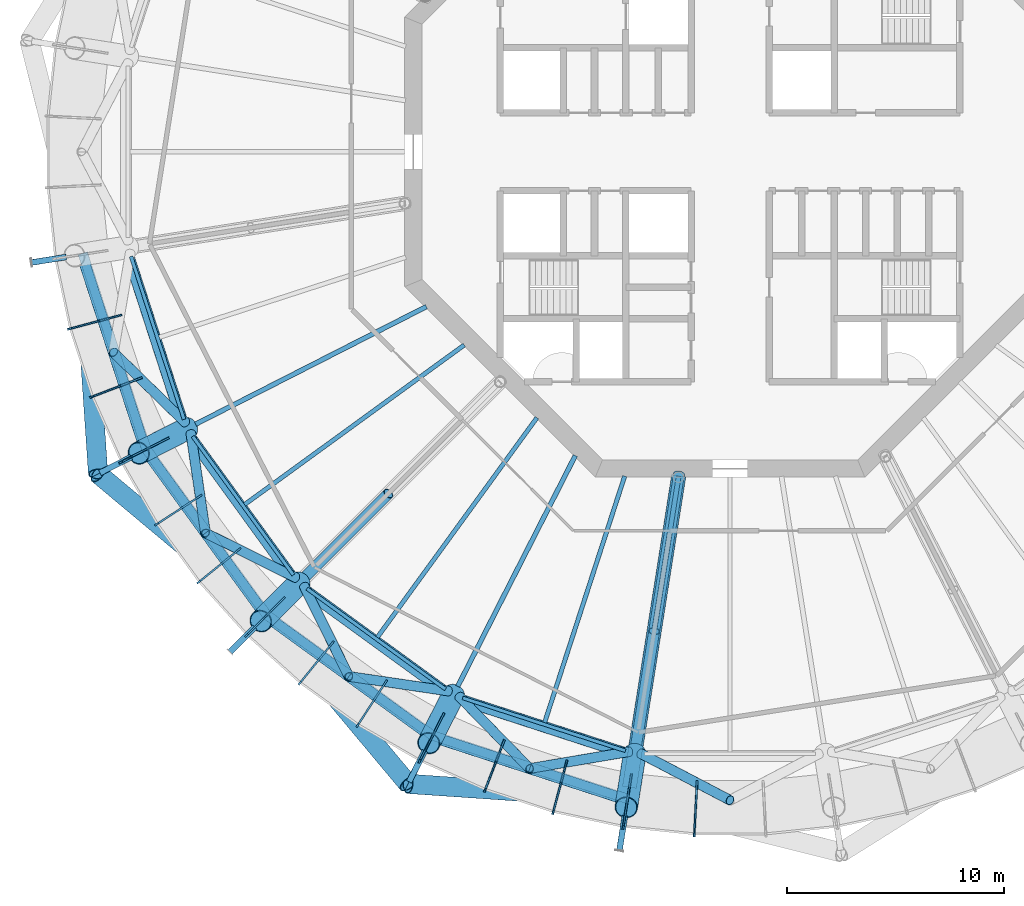
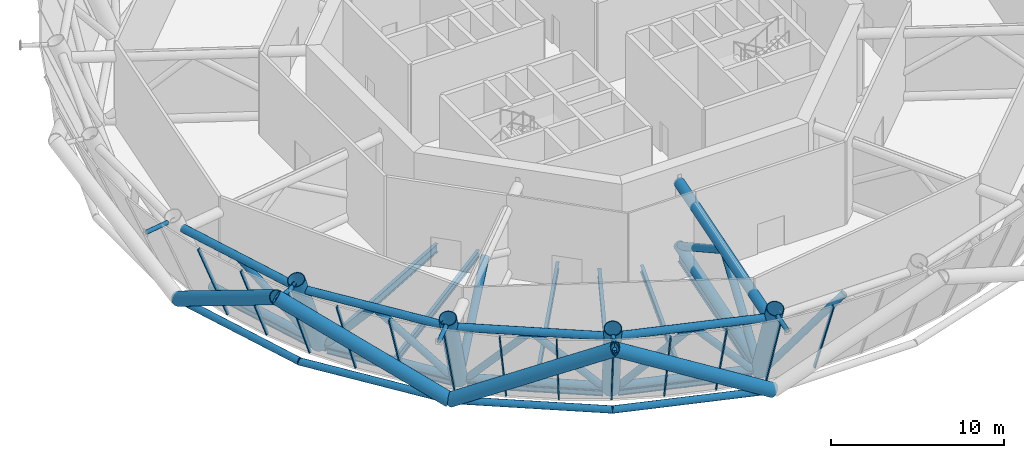
# One storey, part 1 of 20: 51 members, 10 beams, 5 elements without a shape of their own.
"""IFC4 building model written with IfcOpenShell, lengths in metres."""

from ifc_helpers import new_model, si_unit, direction, frame, origin, origin_2d, place, context, subcontext, project, spatial, rectangle, circle, hollow_circle, i_section, extrude, material, layer, layer_set, material_profile, profile_set, type_object, element, aggregate, save


model = new_model("IFC4")

# Units and contexts
model_context = context("Model", 3, precision=1e-05, world=origin(), true_north=direction((0.0, 1.0)))
body_context = subcontext(model_context, "Body", "Model", "MODEL_VIEW")
ifc_project = project(units=[si_unit("LENGTHUNIT", "METRE"), si_unit("AREAUNIT", "SQUARE_METRE"), si_unit("VOLUMEUNIT", "CUBIC_METRE"), si_unit("PLANEANGLEUNIT", "RADIAN"), si_unit("MASSUNIT", "GRAM", prefix="KILO")], contexts=[model_context])

# Site, building, storey
site_placement = place(None, origin())
site = spatial("IfcSite", under=ifc_project, at=site_placement, CompositionType="ELEMENT")
building_placement = place(site_placement, origin())
building = spatial("IfcBuilding", under=site, at=building_placement, Name="Entoto Ring Tower", CompositionType="ELEMENT")
storey_placement = place(building_placement, frame((0.0, 0.0, 330.0)))
storey = spatial("IfcBuildingStorey", under=building, at=storey_placement, Name="L76", CompositionType="ELEMENT", Elevation=330.0)

# Members
ifc_material_1 = material(Name="Steel S355", Category="steel")
ifc_material_profile_1 = material_profile(ifc_material_1, hollow_circle(Radius=0.449951171875, WallThickness=0.044921875, at=origin_2d()), Name="CHS 900 x 45")
ifc_material_2 = material(Name="Concrete C60/75", Category="concrete")
ifc_material_profile_2 = material_profile(ifc_material_2, circle(Radius=0.405029296875, at=origin_2d()), Name="Concrete C60/75 infill")
ifc_profile_set_1 = profile_set([ifc_material_profile_1, ifc_material_profile_2], Name="Steel S355")
member_type_1 = type_object("IfcMemberType", Name="Diagrid diagonal 900 x 45 concrete-filled tube", PredefinedType="BRACE", material=ifc_profile_set_1)
member_1_placement = place(storey_placement, frame((60.171875, 75.275634765625, 0.0), z_axis=(0.058724268288, -0.858720728799, 0.509067942661), x_axis=(0.997669863704, 0.068226410257, 0.0)))
element("IfcMember", 1, at=member_1_placement, inside=storey, type_object=member_type_1, Name="DG2 module 25 12", PredefinedType="BRACE", context=body_context, shape_type="SweptSolid", body=[
    extrude(hollow_circle(Radius=0.449951171875, WallThickness=0.044921875, at=origin_2d()), origin(), (0.0, 0.0, 1.0), 11.7861328125),
])
for number, where, z_axis, x_axis, name in (
    (2, (68.645263671875, 58.645263671875, 0.0), (-0.660190481953, 0.552271543356, 0.509062540301), (-0.641631920107, -0.767012698134, 0.0), "DG2 module 25 13"),
    (3, (68.645263671875, 58.645263671875, 0.0), (0.552271543356, -0.660190481953, 0.509062540301), (0.767012698134, 0.641631920107, 0.0), "DG2 module 25 14"),
):
    element("IfcMember", number, at=place(storey_placement, frame(where, z_axis=z_axis, x_axis=x_axis)), inside=storey, type_object=member_type_1, Name=name, PredefinedType="BRACE", context=body_context, shape_type="SweptSolid", body=[
        extrude(hollow_circle(Radius=0.449951171875, WallThickness=0.044921875, at=origin_2d()), origin(), (0.0, 0.0, 1.0), 11.786376953125),
    ])
member_2_placement = place(storey_placement, frame((85.275634765625, 50.171875, 0.0), z_axis=(-0.858720728799, 0.058724268288, 0.509067942661), x_axis=(-0.068226410257, -0.997669863704, 0.0)))
element("IfcMember", 4, at=member_2_placement, inside=storey, type_object=member_type_1, Name="DG2 module 25 15", PredefinedType="BRACE", context=body_context, shape_type="SweptSolid", body=[
    extrude(hollow_circle(Radius=0.449951171875, WallThickness=0.044921875, at=origin_2d()), origin(), (0.0, 0.0, 1.0), 11.7861328125),
])
ifc_material_3 = material(Name="Steel S355", Category="steel")
ifc_material_profile_3 = material_profile(ifc_material_3, hollow_circle(Radius=0.136474609375, WallThickness=0.012451171875, at=origin_2d()), Name="CHS 273 x 12.5")
ifc_material_4 = material(Name="Concrete C60/75", Category="concrete")
ifc_material_profile_4 = material_profile(ifc_material_4, circle(Radius=0.1240234375, at=origin_2d()), Name="Concrete C60/75 infill")
ifc_profile_set_2 = profile_set([ifc_material_profile_3, ifc_material_profile_4], Name="Steel S355")
member_type_2 = type_object("IfcMemberType", Name="Diagrid node strut 273 x 12.5", PredefinedType="STRUT", material=ifc_profile_set_2)
for number, where, z_axis, x_axis, name in (
    (5, (59.395751953125, 75.15283203125, 5.71337890625), (-0.987674522223, -0.156521685883, 0.0), (0.156521685883, -0.987674522223, 0.0), "DS2 strut ring 25 10"),
    (6, (62.3916015625, 65.932861328125, 5.71337890625), (-0.891014106181, -0.453975618933, 0.0), (0.453975618933, -0.891014106181, 0.0), "DS2 strut ring 25 11"),
    (7, (68.08984375, 58.08984375, 5.71337890625), (-0.707106781187, -0.707106781187, 0.0), (0.707106781187, -0.707106781187, 0.0), "DS2 strut ring 25 12"),
    (8, (75.932861328125, 52.3916015625, 5.71337890625), (-0.453975618933, -0.891014106181, 0.0), (0.891014106181, -0.453975618933, 0.0), "DS2 strut ring 25 13"),
    (9, (85.15283203125, 49.395751953125, 5.71337890625), (-0.156521685883, -0.987674522223, 0.0), (0.987674522223, -0.156521685883, 0.0), "DS2 strut ring 25 14"),
):
    element("IfcMember", number, at=place(storey_placement, frame(where, z_axis=z_axis, x_axis=x_axis)), inside=storey, type_object=member_type_2, Name=name, PredefinedType="STRUT", context=body_context, shape_type="SweptSolid", body=[
        extrude(hollow_circle(Radius=0.136474609375, WallThickness=0.012451171875, at=origin_2d()), origin(), (0.0, 0.0, 1.0), 1.614501953125),
    ])
ifc_material_5 = material(Name="Steel S355", Category="steel")
ifc_material_profile_5 = material_profile(ifc_material_5, hollow_circle(Radius=0.228515625, WallThickness=0.02001953125, at=origin_2d()), Name="CHS 457 x 20")
ifc_material_6 = material(Name="Concrete C60/75", Category="concrete")
ifc_material_profile_6 = material_profile(ifc_material_6, circle(Radius=0.20849609375, at=origin_2d()), Name="Concrete C60/75 infill")
ifc_profile_set_3 = profile_set([ifc_material_profile_5, ifc_material_profile_6], Name="Steel S355")
member_type_3 = type_object("IfcMemberType", Name="Diagrid ring beam 457 x 20", PredefinedType="CHORD", material=ifc_profile_set_3)
for number, where, z_axis, x_axis, name in (
    (10, (60.154541015625, 75.3291015625, 0.0), (0.309002348931, -0.951061274764, 0.0), (0.951061274764, 0.309002348931, 0.0), "DR3 ring 24 11"),
    (11, (63.05859375, 66.3349609375, 0.0), (0.587784468219, -0.809017564037, 0.0), (0.809017564037, 0.587784468219, 0.0), "DR3 ring 24 12"),
    (12, (68.599853515625, 58.678466796875, 0.0), (0.809017564037, -0.587784468219, 0.0), (0.587784468219, 0.809017564037, 0.0), "DR3 ring 24 13"),
    (13, (76.236083984375, 53.10888671875, 0.0), (0.951061274764, -0.309002348931, 0.0), (0.309002348931, 0.951061274764, 0.0), "DR3 ring 24 14"),
):
    element("IfcMember", number, at=place(storey_placement, frame(where, z_axis=z_axis, x_axis=x_axis)), inside=storey, type_object=member_type_3, Name=name, PredefinedType="CHORD", context=body_context, shape_type="SweptSolid", body=[
        extrude(hollow_circle(Radius=0.228515625, WallThickness=0.02001953125, at=origin_2d()), origin(), (0.0, 0.0, 1.0), 9.56103515625),
    ])

# Beams
ifc_material_7 = material(Name="Steel S355", Category="steel")
ifc_material_profile_7 = material_profile(ifc_material_7, i_section(OverallWidth=0.169921875, OverallDepth=0.360107421875, WebThickness=0.008056640625, FlangeThickness=0.0126953125, FilletRadius=0.01806640625, at=origin_2d()), Name="IPE 360")
ifc_profile_set_4 = profile_set([ifc_material_profile_7], Name="Steel S355")
beam_type_1 = type_object("IfcBeamType", Name="Edge beam IPE 360", PredefinedType="SPANDREL", material=ifc_profile_set_4)
beam_1_placement = place(storey_placement, frame((62.38427734375, 75.1787109375, -0.330078125), z_axis=(0.309002883506, -0.951061101079, 0.0), x_axis=(0.951061101079, 0.309002883506, 0.0)))
element("IfcBeam", 14, at=beam_1_placement, inside=storey, type_object=beam_type_1, Name="Edge beam L76 11", PredefinedType="SPANDREL", context=body_context, shape_type="SweptSolid", body=[
    extrude(i_section(OverallWidth=0.169921875, OverallDepth=0.360107421875, WebThickness=0.008056640625, FlangeThickness=0.0126953125, FilletRadius=0.01806640625, at=origin_2d()), origin(), (0.0, 0.0, 1.0), 7.89697265625),
])
for number, where, z_axis, x_axis, name in (
    (15, (65.2255859375, 66.881103515625, -0.330078125), (0.587787449408, -0.809015398073, 0.0), (0.809015398073, 0.587787449408, 0.0), "Edge beam L76 12"),
    (16, (70.4921875, 59.867431640625, -0.330078125), (0.809015398073, -0.587787449408, 0.0), (0.587787449408, 0.809015398073, 0.0), "Edge beam L76 13"),
):
    element("IfcBeam", number, at=place(storey_placement, frame(where, z_axis=z_axis, x_axis=x_axis)), inside=storey, type_object=beam_type_1, Name=name, PredefinedType="SPANDREL", context=body_context, shape_type="SweptSolid", body=[
        extrude(i_section(OverallWidth=0.169921875, OverallDepth=0.360107421875, WebThickness=0.008056640625, FlangeThickness=0.0126953125, FilletRadius=0.01806640625, at=origin_2d()), origin(), (0.0, 0.0, 1.0), 7.897216796875),
    ])
beam_2_placement = place(storey_placement, frame((77.668212890625, 54.824462890625, -0.330078125), z_axis=(0.951061101079, -0.309002883506, 0.0), x_axis=(0.309002883506, 0.951061101079, 0.0)))
element("IfcBeam", 17, at=beam_2_placement, inside=storey, type_object=beam_type_1, Name="Edge beam L76 14", PredefinedType="SPANDREL", context=body_context, shape_type="SweptSolid", body=[
    extrude(i_section(OverallWidth=0.169921875, OverallDepth=0.360107421875, WebThickness=0.008056640625, FlangeThickness=0.0126953125, FilletRadius=0.01806640625, at=origin_2d()), origin(), (0.0, 0.0, 1.0), 7.89697265625),
])

# Curtain wall, members
ifc_material_8 = material(Name="Anodised aluminium", Category="aluminium")
ifc_layer = layer(ifc_material_8, 0.10009765625)
ifc_layer_set = layer_set([ifc_layer], Name="Anodised aluminium")
curtain_wall_type = type_object("IfcCurtainWallType", Name="Louvre curtain wall system CW7", PredefinedType="NOTDEFINED", material=ifc_layer_set)
curtain_wall_1_placement = place(storey_placement, origin())
curtain_wall_1 = element("IfcCurtainWall", 18, at=curtain_wall_1_placement, inside=storey, type_object=curtain_wall_type, Name="CW7 L76-11", PredefinedType="NOTDEFINED")
ifc_material_9 = material(Name="Anodised aluminium", Category="aluminium")
ifc_material_profile_8 = material_profile(ifc_material_9, rectangle(XDim=0.080078125, YDim=0.199951171875, at=origin_2d()), Name="Mullion 80 x 200 mm anodised aluminium")
ifc_profile_set_5 = profile_set([ifc_material_profile_8], Name="Anodised aluminium")
member_type_4 = type_object("IfcMemberType", Name="Mullion 80 x 200 mm anodised aluminium", PredefinedType="MULLION", material=ifc_profile_set_5)
member_3_placement = place(storey_placement, frame((61.867919921875, 72.462158203125, 0.03857421875), z_axis=(-0.371517215719, -0.099544909119, 0.923074086676), x_axis=(0.258812183003, -0.965927664957, 0.0)))
member_3 = element("IfcMember", 19, at=member_3_placement, type_object=member_type_4, Name="MULLION L76-31", PredefinedType="MULLION", context=body_context, shape_type="SweptSolid", body=[
    extrude(rectangle(XDim=0.080078125, YDim=0.199951171875, at=origin_2d()), origin(), (0.0, 0.0, 1.0), 6.254150390625),
])
member_4_placement = place(storey_placement, frame((62.81005859375, 69.562744140625, 0.03857421875), z_axis=(-0.359065607861, -0.137840906866, 0.92307733893), x_axis=(0.358387287841, -0.933573002991, 0.0)))
member_4 = element("IfcMember", 20, at=member_4_placement, type_object=member_type_4, Name="MULLION L76-32", PredefinedType="MULLION", context=body_context, shape_type="SweptSolid", body=[
    extrude(rectangle(XDim=0.080078125, YDim=0.199951171875, at=origin_2d()), origin(), (0.0, 0.0, 1.0), 6.25390625),
])
aggregate(curtain_wall_1, [member_3, member_4])

curtain_wall_2_placement = place(storey_placement, origin())
curtain_wall_2 = element("IfcCurtainWall", 21, at=curtain_wall_2_placement, inside=storey, type_object=curtain_wall_type, Name="CW7 L76-12", PredefinedType="NOTDEFINED")
member_5_placement = place(storey_placement, frame((64.050048828125, 66.77783203125, 0.03857421875), z_axis=(-0.342707021712, -0.174613111757, 0.923072130698), x_axis=(0.453980514773, -0.891011611713, 0.0)))
member_5 = element("IfcMember", 22, at=member_5_placement, type_object=member_type_4, Name="MULLION L76-33", PredefinedType="MULLION", context=body_context, shape_type="SweptSolid", body=[
    extrude(rectangle(XDim=0.080078125, YDim=0.199951171875, at=origin_2d()), origin(), (0.0, 0.0, 1.0), 6.254150390625),
])
member_6_placement = place(storey_placement, frame((65.57421875, 64.1376953125, 0.03857421875), z_axis=(-0.322565689083, -0.209474462982, 0.923077367064), x_axis=(0.544635112654, -0.838673115143, 0.0)))
member_6 = element("IfcMember", 23, at=member_6_placement, type_object=member_type_4, Name="MULLION L76-34", PredefinedType="MULLION", context=body_context, shape_type="SweptSolid", body=[
    extrude(rectangle(XDim=0.080078125, YDim=0.199951171875, at=origin_2d()), origin(), (0.0, 0.0, 1.0), 6.25390625),
])
member_7_placement = place(storey_placement, frame((67.3662109375, 61.67138671875, 0.03857421875), z_axis=(-0.298909386308, -0.242031891748, 0.923078405204), x_axis=(0.629288738535, -0.777171592091, 0.0)))
member_7 = element("IfcMember", 24, at=member_7_placement, type_object=member_type_4, Name="MULLION L76-35", PredefinedType="MULLION", context=body_context, shape_type="SweptSolid", body=[
    extrude(rectangle(XDim=0.080078125, YDim=0.199951171875, at=origin_2d()), origin(), (0.0, 0.0, 1.0), 6.25390625),
])
aggregate(curtain_wall_2, [member_5, member_6, member_7])

curtain_wall_3_placement = place(storey_placement, origin())
curtain_wall_3 = element("IfcCurtainWall", 25, at=curtain_wall_3_placement, inside=storey, type_object=curtain_wall_type, Name="CW7 L76-13", PredefinedType="NOTDEFINED")
member_8_placement = place(storey_placement, frame((69.406005859375, 59.406005859375, 0.03857421875), z_axis=(-0.271971811529, -0.271971811529, 0.923072406405), x_axis=(0.707106781187, -0.707106781187, 0.0)))
member_8 = element("IfcMember", 26, at=member_8_placement, type_object=member_type_4, Name="MULLION L76-36", PredefinedType="MULLION", context=body_context, shape_type="SweptSolid", body=[
    extrude(rectangle(XDim=0.080078125, YDim=0.199951171875, at=origin_2d()), origin(), (0.0, 0.0, 1.0), 6.254150390625),
])
member_9_placement = place(storey_placement, frame((71.67138671875, 57.3662109375, 0.03857421875), z_axis=(-0.242031891748, -0.298909386308, 0.923078405204), x_axis=(0.777171592091, -0.629288738535, 0.0)))
member_9 = element("IfcMember", 27, at=member_9_placement, type_object=member_type_4, Name="MULLION L76-37", PredefinedType="MULLION", context=body_context, shape_type="SweptSolid", body=[
    extrude(rectangle(XDim=0.080078125, YDim=0.199951171875, at=origin_2d()), origin(), (0.0, 0.0, 1.0), 6.25390625),
])
member_10_placement = place(storey_placement, frame((74.1376953125, 55.57421875, 0.03857421875), z_axis=(-0.209474462982, -0.322565689083, 0.923077367064), x_axis=(0.838673115143, -0.544635112654, 0.0)))
member_10 = element("IfcMember", 28, at=member_10_placement, type_object=member_type_4, Name="MULLION L76-38", PredefinedType="MULLION", context=body_context, shape_type="SweptSolid", body=[
    extrude(rectangle(XDim=0.080078125, YDim=0.199951171875, at=origin_2d()), origin(), (0.0, 0.0, 1.0), 6.25390625),
])
aggregate(curtain_wall_3, [member_8, member_9, member_10])

curtain_wall_4_placement = place(storey_placement, origin())
curtain_wall_4 = element("IfcCurtainWall", 29, at=curtain_wall_4_placement, inside=storey, type_object=curtain_wall_type, Name="CW7 L76-14", PredefinedType="NOTDEFINED")
member_11_placement = place(storey_placement, frame((76.77783203125, 54.050048828125, 0.03857421875), z_axis=(-0.174613111757, -0.342707021712, 0.923072130698), x_axis=(0.891011611713, -0.453980514773, 0.0)))
member_11 = element("IfcMember", 30, at=member_11_placement, type_object=member_type_4, Name="MULLION L76-39", PredefinedType="MULLION", context=body_context, shape_type="SweptSolid", body=[
    extrude(rectangle(XDim=0.080078125, YDim=0.199951171875, at=origin_2d()), origin(), (0.0, 0.0, 1.0), 6.254150390625),
])
member_12_placement = place(storey_placement, frame((79.562744140625, 52.81005859375, 0.03857421875), z_axis=(-0.137840906866, -0.359065607861, 0.92307733893), x_axis=(0.933573002991, -0.358387287841, 0.0)))
member_12 = element("IfcMember", 31, at=member_12_placement, type_object=member_type_4, Name="MULLION L76-40", PredefinedType="MULLION", context=body_context, shape_type="SweptSolid", body=[
    extrude(rectangle(XDim=0.080078125, YDim=0.199951171875, at=origin_2d()), origin(), (0.0, 0.0, 1.0), 6.25390625),
])
member_13_placement = place(storey_placement, frame((82.462158203125, 51.867919921875, 0.03857421875), z_axis=(-0.099544909119, -0.371517215719, 0.923074086676), x_axis=(0.965927664957, -0.258812183003, 0.0)))
member_13 = element("IfcMember", 32, at=member_13_placement, type_object=member_type_4, Name="MULLION L76-41", PredefinedType="MULLION", context=body_context, shape_type="SweptSolid", body=[
    extrude(rectangle(XDim=0.080078125, YDim=0.199951171875, at=origin_2d()), origin(), (0.0, 0.0, 1.0), 6.254150390625),
])
aggregate(curtain_wall_4, [member_11, member_12, member_13])

curtain_wall_5_placement = place(storey_placement, origin())
curtain_wall_5 = element("IfcCurtainWall", 33, at=curtain_wall_5_placement, inside=storey, type_object=curtain_wall_type, Name="CW7 L76-15", PredefinedType="NOTDEFINED")
member_14_placement = place(storey_placement, frame((85.44384765625, 51.234130859375, 0.03857421875), z_axis=(-0.060156755817, -0.379873712431, 0.923080238838), x_axis=(0.987692088264, -0.156410801358, 0.0)))
member_14 = element("IfcMember", 34, at=member_14_placement, type_object=member_type_4, Name="MULLION L76-42", PredefinedType="MULLION", context=body_context, shape_type="SweptSolid", body=[
    extrude(rectangle(XDim=0.080078125, YDim=0.199951171875, at=origin_2d()), origin(), (0.0, 0.0, 1.0), 6.25390625),
])
member_15_placement = place(storey_placement, frame((88.475830078125, 50.91552734375, 0.03857421875), z_axis=(-0.020143260577, -0.3840882574, 0.923076627145), x_axis=(0.998627625159, -0.052372380789, 0.0)))
member_15 = element("IfcMember", 35, at=member_15_placement, type_object=member_type_4, Name="MULLION L76-43", PredefinedType="MULLION", context=body_context, shape_type="SweptSolid", body=[
    extrude(rectangle(XDim=0.080078125, YDim=0.199951171875, at=origin_2d()), origin(), (0.0, 0.0, 1.0), 6.254150390625),
])
aggregate(curtain_wall_5, [member_14, member_15])

# Members
ifc_material_10 = material(Name="Steel S355", Category="steel")
ifc_material_profile_9 = material_profile(ifc_material_10, hollow_circle(Radius=0.330078125, WallThickness=0.031982421875, at=origin_2d()), Name="CHS 660 x 32")
ifc_material_11 = material(Name="Concrete C60/75", Category="concrete")
ifc_material_profile_10 = material_profile(ifc_material_11, circle(Radius=0.298095703125, at=origin_2d()), Name="Concrete C60/75 infill")
ifc_profile_set_6 = profile_set([ifc_material_profile_9, ifc_material_profile_10], Name="Steel S355")
member_type_5 = type_object("IfcMemberType", Name="Outrigger chord 660 x 32", PredefinedType="CHORD", material=ifc_profile_set_6)
member_16_placement = place(storey_placement, frame((87.635498046875, 65.0712890625, 0.330078125), z_axis=(-0.156438355416, -0.987687724412, 0.0), x_axis=(0.987687724412, -0.156438355416, 0.0)))
element("IfcMember", 36, at=member_16_placement, inside=storey, type_object=member_type_5, Name="OR1C L76 bottom 08", PredefinedType="CHORD", context=body_context, shape_type="SweptSolid", body=[
    extrude(hollow_circle(Radius=0.330078125, WallThickness=0.031982421875, at=origin_2d()), origin(), (0.0, 0.0, 1.0), 12.7001953125),
])
member_17_placement = place(storey_placement, frame((87.635498046875, 65.0712890625, 4.76708984375), z_axis=(-0.156426146661, -0.987689658061, 0.0), x_axis=(0.987689658061, -0.156426146661, 0.0)))
element("IfcMember", 37, at=member_17_placement, inside=storey, type_object=member_type_5, Name="OR1C L76 top 08", PredefinedType="CHORD", context=body_context, shape_type="SweptSolid", body=[
    extrude(hollow_circle(Radius=0.330078125, WallThickness=0.031982421875, at=origin_2d()), origin(), (0.0, 0.0, 1.0), 14.54931640625),
])
ifc_material_12 = material(Name="Steel S355", Category="steel")
ifc_material_profile_11 = material_profile(ifc_material_12, hollow_circle(Radius=0.25390625, WallThickness=0.030029296875, at=origin_2d()), Name="CHS 508 x 30")
ifc_material_13 = material(Name="Concrete C60/75", Category="concrete")
ifc_material_profile_12 = material_profile(ifc_material_13, circle(Radius=0.22412109375, at=origin_2d()), Name="Concrete C60/75 infill")
ifc_profile_set_7 = profile_set([ifc_material_profile_11, ifc_material_profile_12], Name="Steel S355")
member_type_6 = type_object("IfcMemberType", Name="Outrigger diagonal 508 x 30", PredefinedType="BRACE", material=ifc_profile_set_7)
member_18_placement = place(storey_placement, frame((74.2451171875, 64.2451171875, 4.76708984375), z_axis=(-0.547630187535, -0.547630187535, -0.632615487797), x_axis=(0.707106781187, -0.707106781187, 0.0)))
element("IfcMember", 38, at=member_18_placement, inside=storey, type_object=member_type_6, Name="OR2B L76 07 2", PredefinedType="BRACE", context=body_context, shape_type="SweptSolid", body=[
    extrude(hollow_circle(Radius=0.25390625, WallThickness=0.030029296875, at=origin_2d()), origin(), (0.0, 0.0, 1.0), 7.184814453125),
])
member_19_placement = place(storey_placement, frame((87.648681640625, 65.154296875, 0.2333984375), z_axis=(-0.133101606352, -0.840421364823, 0.525334076503), x_axis=(0.987689804322, -0.15642522315, 0.0)))
element("IfcMember", 39, at=member_19_placement, inside=storey, type_object=member_type_6, Name="OR2B L76 08 1", PredefinedType="BRACE", context=body_context, shape_type="SweptSolid", body=[
    extrude(hollow_circle(Radius=0.25390625, WallThickness=0.030029296875, at=origin_2d()), origin(), (0.0, 0.0, 1.0), 8.630126953125),
])
member_20_placement = place(storey_placement, frame((86.5, 57.9013671875, 4.76708984375), z_axis=(-0.120323704242, -0.759579836959, -0.639187513553), x_axis=(0.987684708538, -0.156457395223, 0.0)))
element("IfcMember", 40, at=member_20_placement, inside=storey, type_object=member_type_6, Name="OR2B L76 08 2", PredefinedType="BRACE", context=body_context, shape_type="SweptSolid", body=[
    extrude(hollow_circle(Radius=0.25390625, WallThickness=0.030029296875, at=origin_2d()), origin(), (0.0, 0.0, 1.0), 7.11572265625),
])

# Beams
ifc_material_14 = material(Name="Steel S355", Category="steel")
ifc_material_profile_13 = material_profile(ifc_material_14, i_section(OverallWidth=0.219970703125, OverallDepth=0.60009765625, WebThickness=0.011962890625, FlangeThickness=0.01904296875, FilletRadius=0.02392578125, at=origin_2d()), Name="IPE 600")
ifc_profile_set_8 = profile_set([ifc_material_profile_13], Name="Steel S355")
beam_type_2 = type_object("IfcBeamType", Name="Primary floor beam IPE 600", PredefinedType="BEAM", material=ifc_profile_set_8)
for number, where, z_axis, x_axis, name in (
    (41, (75.996826171875, 72.864990234375, -0.449951171875), (-0.891007666593, -0.453988257638, 0.0), (0.453988257638, -0.891007666593, 0.0), "Primary L76 R12"),
    (42, (82.864990234375, 65.996826171875, -0.449951171875), (-0.453988257638, -0.891007666593, 0.0), (0.891007666593, -0.453988257638, 0.0), "Primary L76 R14"),
):
    element("IfcBeam", number, at=place(storey_placement, frame(where, z_axis=z_axis, x_axis=x_axis)), inside=storey, type_object=beam_type_2, Name=name, PredefinedType="BEAM", context=body_context, shape_type="SweptSolid", body=[
        extrude(i_section(OverallWidth=0.219970703125, OverallDepth=0.60009765625, WebThickness=0.011962890625, FlangeThickness=0.01904296875, FilletRadius=0.02392578125, at=origin_2d()), origin(), (0.0, 0.0, 1.0), 11.941650390625),
    ])
beam_3_placement = place(storey_placement, frame((87.630126953125, 65.036865234375, -0.449951171875), z_axis=(-0.156439647277, -0.987687519796, 0.0), x_axis=(0.987687519796, -0.156439647277, 0.0)))
element("IfcBeam", 43, at=beam_3_placement, inside=storey, type_object=beam_type_2, Name="Primary L76 R15", PredefinedType="BEAM", context=body_context, shape_type="SweptSolid", body=[
    extrude(i_section(OverallWidth=0.219970703125, OverallDepth=0.60009765625, WebThickness=0.011962890625, FlangeThickness=0.01904296875, FilletRadius=0.02392578125, at=origin_2d()), origin(), (0.0, 0.0, 1.0), 12.50830078125),
])

# Members
ifc_material_15 = material(Name="Steel S355", Category="steel")
ifc_material_profile_14 = material_profile(ifc_material_15, hollow_circle(Radius=0.52490234375, WallThickness=0.0400390625, at=origin_2d()), Name="CHS 1050 x 40")
ifc_material_16 = material(Name="Concrete C60/75", Category="concrete")
ifc_material_profile_15 = material_profile(ifc_material_16, circle(Radius=0.485107421875, at=origin_2d()), Name="Concrete C60/75 infill")
ifc_profile_set_9 = profile_set([ifc_material_profile_14, ifc_material_profile_15], Name="Steel S355")
member_type_7 = type_object("IfcMemberType", Name="Ring column jog 1050 x 40 concrete-filled tube", PredefinedType="STRUT", material=ifc_profile_set_9)
for number, where, z_axis, x_axis, name in (
    (44, (64.962646484375, 67.242919921875, 0.0), (-0.342697597672, -0.174616520339, 0.923074984698), (0.453997461601, -0.891002976909, 0.0), "RJ5B R12"),
    (45, (70.13037109375, 60.13037109375, 0.0), (-0.271971397377, -0.271971397377, 0.923072650455), (0.707106781187, -0.707106781187, 0.0), "RJ5B R13"),
    (46, (77.242919921875, 54.962646484375, 0.0), (-0.174616520339, -0.342697597672, 0.923074984698), (0.891002976909, -0.453997461601, 0.0), "RJ5B R14"),
    (47, (85.604248046875, 52.245849609375, 0.0), (-0.060172056163, -0.379850189746, 0.923088921506), (0.987684444718, -0.156459060658, 0.0), "RJ5B R15"),
):
    element("IfcMember", number, at=place(storey_placement, frame(where, z_axis=z_axis, x_axis=x_axis)), inside=storey, type_object=member_type_7, Name=name, PredefinedType="STRUT", context=body_context, shape_type="SweptSolid", body=[
        extrude(hollow_circle(Radius=0.52490234375, WallThickness=0.0400390625, at=origin_2d()), origin(), (0.0, 0.0, 1.0), 6.5),
    ])
ifc_material_17 = material(Name="Steel S355", Category="steel")
ifc_material_profile_16 = material_profile(ifc_material_17, hollow_circle(Radius=0.25390625, WallThickness=0.030029296875, at=origin_2d()), Name="CHS 508 x 30")
ifc_material_18 = material(Name="Concrete C60/75", Category="concrete")
ifc_material_profile_17 = material_profile(ifc_material_18, circle(Radius=0.22412109375, at=origin_2d()), Name="Concrete C60/75 infill")
ifc_profile_set_10 = profile_set([ifc_material_profile_16, ifc_material_profile_17], Name="Steel S355")
member_type_8 = type_object("IfcMemberType", Name="Ring truss chord 508 x 30", PredefinedType="CHORD", material=ifc_profile_set_10)
member_21_placement = place(storey_placement, frame((62.27880859375, 75.164794921875, 0.25390625), z_axis=(0.309010244188, -0.951058709537, 0.0), x_axis=(0.951058709537, 0.309010244188, 0.0)))
element("IfcMember", 48, at=member_21_placement, inside=storey, type_object=member_type_8, Name="BT1 L76 bottom 11", PredefinedType="CHORD", context=body_context, shape_type="SweptSolid", body=[
    extrude(hollow_circle(Radius=0.25390625, WallThickness=0.030029296875, at=origin_2d()), origin(), (0.0, 0.0, 1.0), 7.935546875),
])
member_22_placement = place(storey_placement, frame((60.244873046875, 74.8427734375, 5.196044921875), z_axis=(0.309014010742, -0.951057485731, 0.0), x_axis=(0.951057485731, 0.309014010742, 0.0)))
element("IfcMember", 49, at=member_22_placement, inside=storey, type_object=member_type_8, Name="BT1 L76 top 11", PredefinedType="CHORD", context=body_context, shape_type="SweptSolid", body=[
    extrude(hollow_circle(Radius=0.25390625, WallThickness=0.030029296875, at=origin_2d()), origin(), (0.0, 0.0, 1.0), 8.580078125),
])
member_23_placement = place(storey_placement, frame((65.129638671875, 66.835205078125, 0.25390625), z_axis=(0.587787490188, -0.809015368444, 0.0), x_axis=(0.809015368444, 0.587787490188, 0.0)))
element("IfcMember", 50, at=member_23_placement, inside=storey, type_object=member_type_8, Name="BT1 L76 bottom 12", PredefinedType="CHORD", context=body_context, shape_type="SweptSolid", body=[
    extrude(hollow_circle(Radius=0.25390625, WallThickness=0.030029296875, at=origin_2d()), origin(), (0.0, 0.0, 1.0), 7.935791015625),
])
member_24_placement = place(storey_placement, frame((63.294921875, 65.900390625, 5.196044921875), z_axis=(0.587784187831, -0.80901776775, 0.0), x_axis=(0.80901776775, 0.587784187831, 0.0)))
element("IfcMember", 51, at=member_24_placement, inside=storey, type_object=member_type_8, Name="BT1 L76 top 12", PredefinedType="CHORD", context=body_context, shape_type="SweptSolid", body=[
    extrude(hollow_circle(Radius=0.25390625, WallThickness=0.030029296875, at=origin_2d()), origin(), (0.0, 0.0, 1.0), 8.580078125),
])
member_25_placement = place(storey_placement, frame((70.4150390625, 59.794189453125, 0.25390625), z_axis=(0.809015368444, -0.587787490188, 0.0), x_axis=(0.587787490188, 0.809015368444, 0.0)))
element("IfcMember", 52, at=member_25_placement, inside=storey, type_object=member_type_8, Name="BT1 L76 bottom 13", PredefinedType="CHORD", context=body_context, shape_type="SweptSolid", body=[
    extrude(hollow_circle(Radius=0.25390625, WallThickness=0.030029296875, at=origin_2d()), origin(), (0.0, 0.0, 1.0), 7.935791015625),
])
member_26_placement = place(storey_placement, frame((68.958984375, 58.338134765625, 5.196044921875), z_axis=(0.80901776775, -0.587784187831, 0.0), x_axis=(0.587784187831, 0.80901776775, 0.0)))
element("IfcMember", 53, at=member_26_placement, inside=storey, type_object=member_type_8, Name="BT1 L76 top 13", PredefinedType="CHORD", context=body_context, shape_type="SweptSolid", body=[
    extrude(hollow_circle(Radius=0.25390625, WallThickness=0.030029296875, at=origin_2d()), origin(), (0.0, 0.0, 1.0), 8.580078125),
])
member_27_placement = place(storey_placement, frame((77.61767578125, 54.73095703125, 0.25390625), z_axis=(0.951058709537, -0.309010244188, 0.0), x_axis=(0.309010244188, 0.951058709537, 0.0)))
element("IfcMember", 54, at=member_27_placement, inside=storey, type_object=member_type_8, Name="BT1 L76 bottom 14", PredefinedType="CHORD", context=body_context, shape_type="SweptSolid", body=[
    extrude(hollow_circle(Radius=0.25390625, WallThickness=0.030029296875, at=origin_2d()), origin(), (0.0, 0.0, 1.0), 7.935546875),
])
member_28_placement = place(storey_placement, frame((76.6826171875, 52.896240234375, 5.196044921875), z_axis=(0.951057485731, -0.309014010742, 0.0), x_axis=(0.309014010742, 0.951057485731, 0.0)))
element("IfcMember", 55, at=member_28_placement, inside=storey, type_object=member_type_8, Name="BT1 L76 top 14", PredefinedType="CHORD", context=body_context, shape_type="SweptSolid", body=[
    extrude(hollow_circle(Radius=0.25390625, WallThickness=0.030029296875, at=origin_2d()), origin(), (0.0, 0.0, 1.0), 8.580078125),
])
ifc_material_19 = material(Name="Steel S355", Category="steel")
ifc_material_profile_18 = material_profile(ifc_material_19, hollow_circle(Radius=0.228515625, WallThickness=0.02001953125, at=origin_2d()), Name="CHS 457 x 20")
ifc_material_20 = material(Name="Concrete C60/75", Category="concrete")
ifc_material_profile_19 = material_profile(ifc_material_20, circle(Radius=0.20849609375, at=origin_2d()), Name="Concrete C60/75 infill")
ifc_profile_set_11 = profile_set([ifc_material_profile_18, ifc_material_profile_19], Name="Steel S355")
member_type_9 = type_object("IfcMemberType", Name="Ring truss diagonal 457 x 20", PredefinedType="BRACE", material=ifc_profile_set_11)
for number, where, z_axis, x_axis, name in (
    (56, (61.570556640625, 70.7626953125, 5.196044921875), (0.474500182482, -0.464338307806, -0.747823182797), (0.699412173508, 0.714718554082, 0.0), "BT2 L76 11 b"),
    (57, (65.139892578125, 67.021484375, -0.0322265625), (0.096800841026, -0.65679300794, 0.747831894143), (0.989312764597, 0.145808963391, 0.0), "BT2 L76 12 a"),
    (58, (65.816650390625, 62.4296875, 5.196044921875), (0.59473892954, -0.295012299733, -0.747832433568), (0.444370901393, 0.895842900287, 0.0), "BT2 L76 12 b"),
    (59, (70.3671875, 59.974609375, -0.0322265625), (0.295012299733, -0.59473892954, 0.747832433568), (0.895842900287, 0.444370901393, 0.0), "BT2 L76 13 a"),
    (60, (72.4296875, 55.816650390625, 5.196044921875), (0.65679300794, -0.096800841026, -0.747831894143), (0.145808963391, 0.989312764597, 0.0), "BT2 L76 13 b"),
    (61, (77.516357421875, 54.887939453125, -0.0322265625), (0.464338307806, -0.474500182482, 0.747823182797), (0.714718554082, 0.699412173508, 0.0), "BT2 L76 14 a"),
    (62, (80.7626953125, 51.570556640625, 5.196044921875), (0.654555666471, 0.110943414019, -0.747829150526), (-0.167110830005, 0.98593811697, 0.0), "BT2 L76 14 b"),
    (63, (85.887451171875, 52.25927734375, -0.0322265625), (0.588243870997, -0.307758577328, 0.747832739531), (0.463570595327, 0.886059988459, 0.0), "BT2 L76 15 a"),
):
    element("IfcMember", number, at=place(storey_placement, frame(where, z_axis=z_axis, x_axis=x_axis)), inside=storey, type_object=member_type_9, Name=name, PredefinedType="BRACE", context=body_context, shape_type="SweptSolid", body=[
        extrude(hollow_circle(Radius=0.228515625, WallThickness=0.02001953125, at=origin_2d()), origin(), (0.0, 0.0, 1.0), 6.9912109375),
    ])

# Beams
ifc_material_21 = material(Name="Steel S355", Category="steel")
ifc_material_profile_20 = material_profile(ifc_material_21, i_section(OverallWidth=0.199951171875, OverallDepth=0.5, WebThickness=0.01025390625, FlangeThickness=0.01611328125, FilletRadius=0.02099609375, at=origin_2d()), Name="IPE 500")
ifc_profile_set_12 = profile_set([ifc_material_profile_20], Name="Steel S355")
beam_type_3 = type_object("IfcBeamType", Name="Secondary floor beam IPE 500", PredefinedType="JOIST", material=ifc_profile_set_12)
for number, where, z_axis, x_axis, name in (
    (64, (77.742431640625, 71.094482421875, -0.39990234375), (-0.80901431041, -0.587788946436, 0.0), (0.587788946436, -0.80901431041, 0.0), "Secondary beam L76 12"),
    (65, (81.094482421875, 67.742431640625, -0.39990234375), (-0.587788946436, -0.80901431041, 0.0), (0.80901431041, -0.587788946436, 0.0), "Secondary beam L76 13"),
):
    element("IfcBeam", number, at=place(storey_placement, frame(where, z_axis=z_axis, x_axis=x_axis)), inside=storey, type_object=beam_type_3, Name=name, PredefinedType="JOIST", context=body_context, shape_type="SweptSolid", body=[
        extrude(i_section(OverallWidth=0.199951171875, OverallDepth=0.5, WebThickness=0.01025390625, FlangeThickness=0.01611328125, FilletRadius=0.02099609375, at=origin_2d()), origin(), (0.0, 0.0, 1.0), 12.51806640625),
    ])
beam_4_placement = place(storey_placement, frame((85.142333984375, 65.0498046875, -0.39990234375), z_axis=(-0.30901677521, -0.951056587506, 0.0), x_axis=(0.951056587506, -0.30901677521, 0.0)))
element("IfcBeam", 66, at=beam_4_placement, inside=storey, type_object=beam_type_3, Name="Secondary beam L76 14", PredefinedType="JOIST", context=body_context, shape_type="SweptSolid", body=[
    extrude(i_section(OverallWidth=0.199951171875, OverallDepth=0.5, WebThickness=0.01025390625, FlangeThickness=0.01611328125, FilletRadius=0.02099609375, at=origin_2d()), origin(), (0.0, 0.0, 1.0), 11.94970703125),
])

save(model, "model.ifc")
